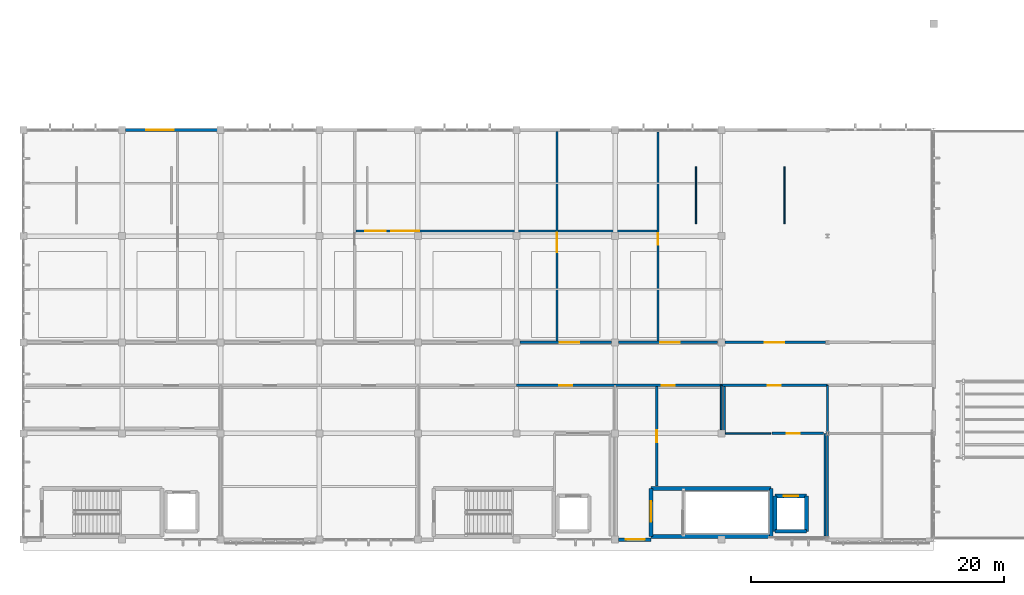
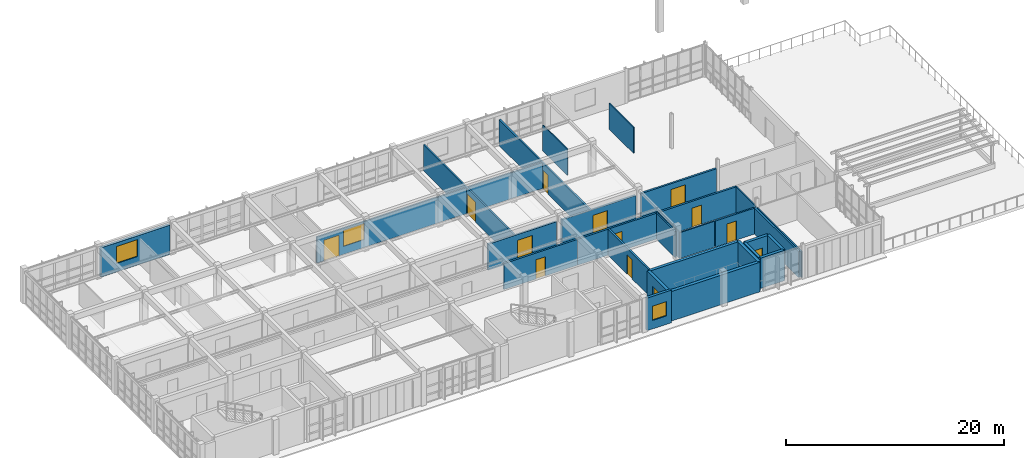
# One storey, part 23 of 35: 29 walls, 13 doors, 3 windows, 16 openings.
"""IFC4 building model written with IfcOpenShell, lengths in metres."""

from ifc_helpers import new_model, si_unit, direction, frame, frame_2d, origin, place, context, subcontext, project, spatial, rectangle, extrude, material, layer, layer_set, type_object, element, fill, save


model = new_model("IFC4")

# Units and contexts
model_context = context("Model", 3, precision=1e-05, world=origin(), true_north=direction((0.0, 1.0)))
body_context = subcontext(model_context, "Body", "Model", "MODEL_VIEW")
ifc_project = project(units=[si_unit("LENGTHUNIT", "METRE"), si_unit("AREAUNIT", "SQUARE_METRE"), si_unit("VOLUMEUNIT", "CUBIC_METRE"), si_unit("PLANEANGLEUNIT", "RADIAN"), si_unit("MASSUNIT", "GRAM", prefix="KILO")], contexts=[model_context])

# Site, building, storey
site_placement = place(None, origin())
site = spatial("IfcSite", under=ifc_project, at=site_placement, CompositionType="ELEMENT")
building_placement = place(site_placement, origin())
building = spatial("IfcBuilding", under=site, at=building_placement, Name="Tizgana Railside Sports Hall", CompositionType="ELEMENT")
storey_placement = place(building_placement, frame((0.0, 0.0, 15.89990234375)))
storey = spatial("IfcBuildingStorey", under=building, at=storey_placement, Name="L03", CompositionType="ELEMENT", Elevation=15.89990234375)

# Wall, opening, door
ifc_material_1 = material(Name="Acoustic gypsum stud")
ifc_layer_1 = layer(ifc_material_1, 0.159912109375, Name="Acoustic gypsum stud")
ifc_layer_set_1 = layer_set([ifc_layer_1], Name="Acoustic gypsum stud")
wall_type_1 = type_object("IfcWallType", Name="Clinic Acoustic Partition 160", PredefinedType="STANDARD", material=ifc_layer_set_1)
wall_1_placement = place(storey_placement, frame((50.0, 15.64990234375, 0.0), z_axis=(0.0, 0.0, 1.0), x_axis=(0.0, 1.0, 0.0)))
wall_1 = element("IfcWall", 1, at=wall_1_placement, inside=storey, type_object=wall_type_1, Name="L03 Partition PWAL-0189", PredefinedType="STANDARD", context=body_context, shape_type="SweptSolid", body=[
    extrude(rectangle(XDim=16.610107421875, YDim=0.159912109375, at=frame_2d((8.30517578125, 0.0))), origin(), (0.0, 0.0, 1.0), 2.900146484375),
])
opening_1_placement = place(wall_1_placement, frame((7.074951171875, 0.0, 0.0)))
opening_1 = element("IfcOpeningElement", 2, at=opening_1_placement, cuts=wall_1, Name="Opening D-0210", PredefinedType="OPENING", context=body_context, shape_type="SweptSolid", body=[
    extrude(rectangle(XDim=1.550048828125, YDim=2.25, at=frame_2d((0.77490234375, 1.125))), frame((0.0, 0.08984375, 0.0), z_axis=(0.0, -1.0, 0.0), x_axis=(1.0, 0.0, 0.0)), (0.0, 0.0, 1.0), 0.179931640625),
])
ifc_material_2 = material(Name="Acoustic perforated timber", Category="wood")
door_type_1 = type_object("IfcDoorType", Name="Studio Acoustic Double Door 1550x2250", OperationType="NOTDEFINED", PredefinedType="DOOR", material=ifc_material_2)
door_1_placement = place(opening_1_placement, origin())
door_1 = element("IfcDoor", 3, at=door_1_placement, inside=storey, type_object=door_type_1, Name="L03 Door D-0210", OperationType="DOUBLE_DOOR_SINGLE_SWING", OverallHeight=2.25, OverallWidth=1.550048828125, PredefinedType="DOOR", context=body_context, shape_type="SweptSolid", body=[
    extrude(rectangle(XDim=1.550048828125, YDim=2.25, at=frame_2d((0.77490234375, 1.125))), frame((0.0, 0.02490234375, 0.0), z_axis=(0.0, -1.0, 0.0), x_axis=(1.0, 0.0, 0.0)), (0.0, 0.0, 1.0), 0.050048828125),
])
fill(opening_1, door_1)

# Wall, openings, door, window
wall_2_placement = place(storey_placement, frame((34.090087890625, 24.39990234375, 0.0), z_axis=(0.0, 0.0, 1.0), x_axis=(1.0, 0.0, 0.0)))
wall_2 = element("IfcWall", 4, at=wall_2_placement, inside=storey, type_object=wall_type_1, Name="L03 Partition PWAL-0339", PredefinedType="STANDARD", context=body_context, shape_type="SweptSolid", body=[
    extrude(rectangle(XDim=23.909912109375, YDim=0.159912109375, at=frame_2d((11.955078125, 0.0))), origin(), (0.0, 0.0, 1.0), 2.900146484375),
])
opening_2_placement = place(wall_2_placement, frame((0.760009765625, 0.0, 0.0)))
opening_2 = element("IfcOpeningElement", 5, at=opening_2_placement, cuts=wall_2, Name="Opening D-0304", PredefinedType="OPENING", context=body_context, shape_type="SweptSolid", body=[
    extrude(rectangle(XDim=1.60009765625, YDim=2.300048828125, at=frame_2d((0.800048828125, 1.14990234375))), frame((0.0, 0.08984375, 0.0), z_axis=(0.0, -1.0, 0.0), x_axis=(1.0, 0.0, 0.0)), (0.0, 0.0, 1.0), 0.179931640625),
])
opening_3_placement = place(wall_2_placement, frame((2.81005859375, 0.0, 0.89990234375)))
opening_3 = element("IfcOpeningElement", 6, at=opening_3_placement, cuts=wall_2, Name="Opening W-0135", PredefinedType="OPENING", context=body_context, shape_type="SweptSolid", body=[
    extrude(rectangle(XDim=2.199951171875, YDim=1.800048828125, at=frame_2d((1.10009765625, 0.89990234375))), frame((0.0, 0.08984375, 0.0), z_axis=(0.0, -1.0, 0.0), x_axis=(1.0, 0.0, 0.0)), (0.0, 0.0, 1.0), 0.179931640625),
])
ifc_material_3 = material(Name="Solid beech timber", Category="wood")
door_type_2 = type_object("IfcDoorType", Name="Martial Arts Double Door 1600x2300", OperationType="NOTDEFINED", PredefinedType="DOOR", material=ifc_material_3)
door_2_placement = place(opening_2_placement, origin())
door_2 = element("IfcDoor", 7, at=door_2_placement, inside=storey, type_object=door_type_2, Name="L03 Door D-0304", OperationType="DOUBLE_DOOR_SINGLE_SWING", OverallHeight=2.300048828125, OverallWidth=1.60009765625, PredefinedType="DOOR", context=body_context, shape_type="SweptSolid", body=[
    extrude(rectangle(XDim=1.60009765625, YDim=2.300048828125, at=frame_2d((0.800048828125, 1.14990234375))), frame((0.0, 0.02490234375, 0.0), z_axis=(0.0, -1.0, 0.0), x_axis=(1.0, 0.0, 0.0)), (0.0, 0.0, 1.0), 0.050048828125),
])
fill(opening_2, door_2)
ifc_material_4 = material(Name="Double low-E laminated glass", Category="glass")
window_type_1 = type_object("IfcWindowType", Name="Studio Corridor Borrowed Light 2200x1400", PartitioningType="SINGLE_PANEL", PredefinedType="WINDOW", material=ifc_material_4)
window_1_placement = place(opening_3_placement, origin())
window_1 = element("IfcWindow", 8, at=window_1_placement, inside=storey, type_object=window_type_1, Name="L03 Interior Window W-0135", OverallHeight=1.800048828125, OverallWidth=2.199951171875, PartitioningType="SINGLE_PANEL", PredefinedType="WINDOW", context=body_context, shape_type="SweptSolid", body=[
    extrude(rectangle(XDim=2.199951171875, YDim=1.800048828125, at=frame_2d((1.10009765625, 0.89990234375))), frame((0.0, 0.030029296875, 0.0), z_axis=(0.0, -1.0, 0.0), x_axis=(1.0, 0.0, 0.0)), (0.0, 0.0, 1.0), 0.06005859375),
])
fill(opening_3, window_1)

# Wall
ifc_material_5 = material(Name="Concrete C40/50", Category="concrete")
ifc_layer_2 = layer(ifc_material_5, 0.300048828125, Name="Concrete C40/50")
ifc_layer_set_2 = layer_set([ifc_layer_2], Name="Concrete C40/50")
wall_type_2 = type_object("IfcWallType", Name="Core Shear Wall 300", PredefinedType="SHEAR", material=ifc_layer_set_2)
wall_3_placement = place(storey_placement, frame((57.449951171875, 4.050048828125, 0.0), z_axis=(0.0, 0.0, 1.0), x_axis=(1.0, 0.0, 0.0)))
element("IfcWall", 9, at=wall_3_placement, inside=storey, type_object=wall_type_2, Name="L03 C3 Shaft Wall N", PredefinedType="SHEAR", context=body_context, shape_type="SweptSolid", body=[
    extrude(rectangle(XDim=9.5, YDim=0.300048828125, at=frame_2d((4.75, 0.0))), origin(), (0.0, 0.0, 1.0), 3.300048828125),
])

# Wall, opening, door
wall_4_placement = place(storey_placement, frame((57.449951171875, 0.25, 0.0), z_axis=(0.0, 0.0, 1.0), x_axis=(0.0, 1.0, 0.0)))
wall_4 = element("IfcWall", 10, at=wall_4_placement, inside=storey, type_object=wall_type_2, Name="L03 C3 Shaft Wall W", PredefinedType="SHEAR", context=body_context, shape_type="SweptSolid", body=[
    extrude(rectangle(XDim=3.800048828125, YDim=0.300048828125, at=frame_2d((1.89990234375, 0.0))), origin(), (0.0, 0.0, 1.0), 3.300048828125),
])
opening_4_placement = place(wall_4_placement, frame((1.14990234375, 0.0, 0.0)))
opening_4 = element("IfcOpeningElement", 11, at=opening_4_placement, cuts=wall_4, Name="Opening D-0066", PredefinedType="OPENING", context=body_context, shape_type="SweptSolid", body=[
    extrude(rectangle(XDim=1.64990234375, YDim=2.199951171875, at=frame_2d((0.824951171875, 1.10009765625))), frame((0.0, 0.159912109375, 0.0), z_axis=(0.0, -1.0, 0.0), x_axis=(1.0, 0.0, 0.0)), (0.0, 0.0, 1.0), 0.320068359375),
])
ifc_material_6 = material(Name="Timber fire leaf", Category="wood")
door_type_3 = type_object("IfcDoorType", Name="Stair Core Double Fire Door 1650x2200", OperationType="NOTDEFINED", PredefinedType="DOOR", material=ifc_material_6)
door_3_placement = place(opening_4_placement, origin())
door_3 = element("IfcDoor", 12, at=door_3_placement, inside=storey, type_object=door_type_3, Name="L03 Door D-0066", OperationType="DOUBLE_DOOR_SINGLE_SWING", OverallHeight=2.199951171875, OverallWidth=1.64990234375, PredefinedType="DOOR", context=body_context, shape_type="SweptSolid", body=[
    extrude(rectangle(XDim=1.64990234375, YDim=2.199951171875, at=frame_2d((0.824951171875, 1.10009765625))), frame((0.0, 0.02490234375, 0.0), z_axis=(0.0, -1.0, 0.0), x_axis=(1.0, 0.0, 0.0)), (0.0, 0.0, 1.0), 0.050048828125),
])
fill(opening_4, door_3)

# Walls
wall_5_placement = place(storey_placement, frame((66.949951171875, 0.25, 0.0), z_axis=(0.0, 0.0, 1.0), x_axis=(0.0, 1.0, 0.0)))
element("IfcWall", 13, at=wall_5_placement, inside=storey, type_object=wall_type_2, Name="L03 C3 Shaft Wall E", PredefinedType="SHEAR", context=body_context, shape_type="SweptSolid", body=[
    extrude(rectangle(XDim=3.800048828125, YDim=0.300048828125, at=frame_2d((1.89990234375, 0.0))), origin(), (0.0, 0.0, 1.0), 3.300048828125),
])
wall_6_placement = place(storey_placement, frame((67.25, 0.64990234375, 0.0), z_axis=(0.0, 0.0, 1.0), x_axis=(1.0, 0.0, 0.0)))
element("IfcWall", 14, at=wall_6_placement, inside=storey, type_object=wall_type_2, Name="L03 LP-02 Shaft Wall S", PredefinedType="SHEAR", context=body_context, shape_type="SweptSolid", body=[
    extrude(rectangle(XDim=2.5, YDim=0.300048828125, at=frame_2d((1.25, 0.0))), origin(), (0.0, 0.0, 1.0), 3.400146484375),
])

# Wall, opening, door
wall_7_placement = place(storey_placement, frame((67.25, 3.449951171875, 0.0), z_axis=(0.0, 0.0, 1.0), x_axis=(1.0, 0.0, 0.0)))
wall_7 = element("IfcWall", 15, at=wall_7_placement, inside=storey, type_object=wall_type_2, Name="L03 LP-02 Shaft Wall N", PredefinedType="SHEAR", context=body_context, shape_type="SweptSolid", body=[
    extrude(rectangle(XDim=2.5, YDim=0.300048828125, at=frame_2d((1.25, 0.0))), origin(), (0.0, 0.0, 1.0), 3.400146484375),
])
opening_5_placement = place(wall_7_placement, frame((0.675048828125, 0.0, 0.0)))
opening_5 = element("IfcOpeningElement", 16, at=opening_5_placement, cuts=wall_7, Name="Opening D-0070", PredefinedType="OPENING", context=body_context, shape_type="SweptSolid", body=[
    extrude(rectangle(XDim=1.14990234375, YDim=2.199951171875, at=frame_2d((0.574951171875, 1.10009765625))), frame((0.0, 0.159912109375, 0.0), z_axis=(0.0, -1.0, 0.0), x_axis=(1.0, 0.0, 0.0)), (0.0, 0.0, 1.0), 0.320068359375),
])
ifc_material_7 = material(Name="Brushed stainless steel", Category="steel")
door_type_4 = type_object("IfcDoorType", Name="Passenger Lift Sliding Door 1150x2200", OperationType="NOTDEFINED", PredefinedType="DOOR", material=ifc_material_7)
door_4_placement = place(opening_5_placement, origin())
door_4 = element("IfcDoor", 17, at=door_4_placement, inside=storey, type_object=door_type_4, Name="L03 Door D-0070", OperationType="DOUBLE_DOOR_SLIDING", OverallHeight=2.199951171875, OverallWidth=1.14990234375, PredefinedType="DOOR", context=body_context, shape_type="SweptSolid", body=[
    extrude(rectangle(XDim=1.14990234375, YDim=2.199951171875, at=frame_2d((0.574951171875, 1.10009765625))), frame((0.0, 0.02490234375, 0.0), z_axis=(0.0, -1.0, 0.0), x_axis=(1.0, 0.0, 0.0)), (0.0, 0.0, 1.0), 0.050048828125),
])
fill(opening_5, door_4)

# Walls
for number, where, z_axis, x_axis, name in (
    (18, (67.25, 0.64990234375, 0.0), (0.0, 0.0, 1.0), (0.0, 1.0, 0.0), "L03 LP-02 Shaft Wall W"),
    (19, (69.75, 0.64990234375, 0.0), (0.0, 0.0, 1.0), (0.0, 1.0, 0.0), "L03 LP-02 Shaft Wall E"),
):
    element("IfcWall", number, at=place(storey_placement, frame(where, z_axis=z_axis, x_axis=x_axis)), inside=storey, type_object=wall_type_2, Name=name, PredefinedType="SHEAR", context=body_context, shape_type="SweptSolid", body=[
        extrude(rectangle(XDim=2.800048828125, YDim=0.300048828125, at=frame_2d((1.39990234375, 0.0))), origin(), (0.0, 0.0, 1.0), 3.400146484375),
    ])

# Wall, opening, door
ifc_material_8 = material(Name="Masonry blockwork", Category="masonry")
ifc_layer_3 = layer(ifc_material_8, 0.199951171875, Name="Masonry blockwork")
ifc_layer_set_3 = layer_set([ifc_layer_3], Name="Masonry blockwork")
wall_type_3 = type_object("IfcWallType", Name="Corridor Compartment Partition 200", PredefinedType="STANDARD", material=ifc_layer_set_3)
wall_8_placement = place(storey_placement, frame((47.0849609375, 15.60009765625, 0.0), z_axis=(0.0, 0.0, 1.0), x_axis=(1.0, 0.0, 0.0)))
wall_8 = element("IfcWall", 20, at=wall_8_placement, inside=storey, type_object=wall_type_3, Name="L03 Partition PWAL-0164", PredefinedType="STANDARD", context=body_context, shape_type="SweptSolid", body=[
    extrude(rectangle(XDim=7.22998046875, YDim=0.199951171875, at=frame_2d((3.614990234375, 0.0))), origin(), (0.0, 0.0, 1.0), 2.900146484375),
])
opening_6_placement = place(wall_8_placement, frame((3.139892578125, 0.0, 0.0)))
opening_6 = element("IfcOpeningElement", 21, at=opening_6_placement, cuts=wall_8, Name="Opening D-0198", PredefinedType="OPENING", context=body_context, shape_type="SweptSolid", body=[
    extrude(rectangle(XDim=1.550048828125, YDim=2.25, at=frame_2d((0.77490234375, 1.125))), frame((0.0, 0.10986328125, 0.0), z_axis=(0.0, -1.0, 0.0), x_axis=(1.0, 0.0, 0.0)), (0.0, 0.0, 1.0), 0.219970703125),
])
door_5_placement = place(opening_6_placement, origin())
door_5 = element("IfcDoor", 22, at=door_5_placement, inside=storey, type_object=door_type_1, Name="L03 Door D-0198", OperationType="DOUBLE_DOOR_SINGLE_SWING", OverallHeight=2.25, OverallWidth=1.550048828125, PredefinedType="DOOR", context=body_context, shape_type="SweptSolid", body=[
    extrude(rectangle(XDim=1.550048828125, YDim=2.25, at=frame_2d((0.77490234375, 1.125))), frame((0.0, 0.02490234375, 0.0), z_axis=(0.0, -1.0, 0.0), x_axis=(1.0, 0.0, 0.0)), (0.0, 0.0, 1.0), 0.050048828125),
])
fill(opening_6, door_5)

wall_9_placement = place(storey_placement, frame((46.800048828125, 12.199951171875, 0.0), z_axis=(0.0, 0.0, 1.0), x_axis=(1.0, 0.0, 0.0)))
wall_9 = element("IfcWall", 23, at=wall_9_placement, inside=storey, type_object=wall_type_3, Name="L03 Partition PWAL-0165", PredefinedType="STANDARD", context=body_context, shape_type="SweptSolid", body=[
    extrude(rectangle(XDim=7.800048828125, YDim=0.199951171875, at=frame_2d((3.89990234375, 0.0))), origin(), (0.0, 0.0, 1.0), 2.900146484375),
])
opening_7_placement = place(wall_9_placement, frame((3.389892578125, 0.0, 0.0)))
opening_7 = element("IfcOpeningElement", 24, at=opening_7_placement, cuts=wall_9, Name="Opening D-0199", PredefinedType="OPENING", context=body_context, shape_type="SweptSolid", body=[
    extrude(rectangle(XDim=1.02001953125, YDim=2.14990234375, at=frame_2d((0.510009765625, 1.074951171875))), frame((0.0, 0.10986328125, 0.0), z_axis=(0.0, -1.0, 0.0), x_axis=(1.0, 0.0, 0.0)), (0.0, 0.0, 1.0), 0.219970703125),
])
door_type_5 = type_object("IfcDoorType", Name="Accessible Changing & WC Door 1020x2150", OperationType="NOTDEFINED", PredefinedType="DOOR", material=ifc_material_3)
door_6_placement = place(opening_7_placement, origin())
door_6 = element("IfcDoor", 25, at=door_6_placement, inside=storey, type_object=door_type_5, Name="L03 Door D-0199", OperationType="SINGLE_SWING_RIGHT", OverallHeight=2.14990234375, OverallWidth=1.02001953125, PredefinedType="DOOR", context=body_context, shape_type="SweptSolid", body=[
    extrude(rectangle(XDim=1.02001953125, YDim=2.14990234375, at=frame_2d((0.510009765625, 1.074951171875))), frame((0.0, 0.02490234375, 0.0), z_axis=(0.0, -1.0, 0.0), x_axis=(1.0, 0.0, 0.0)), (0.0, 0.0, 1.0), 0.050048828125),
])
fill(opening_7, door_6)

wall_10_placement = place(storey_placement, frame((54.885009765625, 15.60009765625, 0.0), z_axis=(0.0, 0.0, 1.0), x_axis=(1.0, 0.0, 0.0)))
wall_10 = element("IfcWall", 26, at=wall_10_placement, inside=storey, type_object=wall_type_3, Name="L03 Partition PWAL-0166", PredefinedType="STANDARD", context=body_context, shape_type="SweptSolid", body=[
    extrude(rectangle(XDim=7.830078125, YDim=0.199951171875, at=frame_2d((3.9150390625, 0.0))), origin(), (0.0, 0.0, 1.0), 2.900146484375),
])
opening_8_placement = place(wall_10_placement, frame((3.2900390625, 0.0, 0.0)))
opening_8 = element("IfcOpeningElement", 27, at=opening_8_placement, cuts=wall_10, Name="Opening D-0200", PredefinedType="OPENING", context=body_context, shape_type="SweptSolid", body=[
    extrude(rectangle(XDim=1.550048828125, YDim=2.25, at=frame_2d((0.77490234375, 1.125))), frame((0.0, 0.10986328125, 0.0), z_axis=(0.0, -1.0, 0.0), x_axis=(1.0, 0.0, 0.0)), (0.0, 0.0, 1.0), 0.219970703125),
])
door_7_placement = place(opening_8_placement, origin())
door_7 = element("IfcDoor", 28, at=door_7_placement, inside=storey, type_object=door_type_1, Name="L03 Door D-0200", OperationType="DOUBLE_DOOR_SINGLE_SWING", OverallHeight=2.25, OverallWidth=1.550048828125, PredefinedType="DOOR", context=body_context, shape_type="SweptSolid", body=[
    extrude(rectangle(XDim=1.550048828125, YDim=2.25, at=frame_2d((0.77490234375, 1.125))), frame((0.0, 0.02490234375, 0.0), z_axis=(0.0, -1.0, 0.0), x_axis=(1.0, 0.0, 0.0)), (0.0, 0.0, 1.0), 0.050048828125),
])
fill(opening_8, door_7)

wall_11_placement = place(storey_placement, frame((54.60009765625, 12.199951171875, 0.0), z_axis=(0.0, 0.0, 1.0), x_axis=(1.0, 0.0, 0.0)))
wall_11 = element("IfcWall", 29, at=wall_11_placement, inside=storey, type_object=wall_type_3, Name="L03 Partition PWAL-0167", PredefinedType="STANDARD", context=body_context, shape_type="SweptSolid", body=[
    extrude(rectangle(XDim=8.579833984375, YDim=0.199951171875, at=frame_2d((4.2900390625, 0.0))), origin(), (0.0, 0.0, 1.0), 2.900146484375),
])
opening_9_placement = place(wall_11_placement, frame((3.68994140625, 0.0, 0.0)))
opening_9 = element("IfcOpeningElement", 30, at=opening_9_placement, cuts=wall_11, Name="Opening D-0201", PredefinedType="OPENING", context=body_context, shape_type="SweptSolid", body=[
    extrude(rectangle(XDim=1.02001953125, YDim=2.14990234375, at=frame_2d((0.510009765625, 1.074951171875))), frame((0.0, 0.10986328125, 0.0), z_axis=(0.0, -1.0, 0.0), x_axis=(1.0, 0.0, 0.0)), (0.0, 0.0, 1.0), 0.219970703125),
])
door_8_placement = place(opening_9_placement, origin())
door_8 = element("IfcDoor", 31, at=door_8_placement, inside=storey, type_object=door_type_5, Name="L03 Door D-0201", OperationType="SINGLE_SWING_LEFT", OverallHeight=2.14990234375, OverallWidth=1.02001953125, PredefinedType="DOOR", context=body_context, shape_type="SweptSolid", body=[
    extrude(rectangle(XDim=1.02001953125, YDim=2.14990234375, at=frame_2d((0.510009765625, 1.074951171875))), frame((0.0, 0.02490234375, 0.0), z_axis=(0.0, -1.0, 0.0), x_axis=(1.0, 0.0, 0.0)), (0.0, 0.0, 1.0), 0.050048828125),
])
fill(opening_9, door_8)

wall_12_placement = place(storey_placement, frame((63.284912109375, 15.60009765625, 0.0), z_axis=(0.0, 0.0, 1.0), x_axis=(1.0, 0.0, 0.0)))
wall_12 = element("IfcWall", 32, at=wall_12_placement, inside=storey, type_object=wall_type_3, Name="L03 Partition PWAL-0168", PredefinedType="STANDARD", context=body_context, shape_type="SweptSolid", body=[
    extrude(rectangle(XDim=7.965087890625, YDim=0.199951171875, at=frame_2d((3.982421875, 0.0))), origin(), (0.0, 0.0, 1.0), 2.900146484375),
])
opening_10_placement = place(wall_12_placement, frame((3.139892578125, 0.0, 0.0)))
opening_10 = element("IfcOpeningElement", 33, at=opening_10_placement, cuts=wall_12, Name="Opening D-0202", PredefinedType="OPENING", context=body_context, shape_type="SweptSolid", body=[
    extrude(rectangle(XDim=1.550048828125, YDim=2.25, at=frame_2d((0.77490234375, 1.125))), frame((0.0, 0.10986328125, 0.0), z_axis=(0.0, -1.0, 0.0), x_axis=(1.0, 0.0, 0.0)), (0.0, 0.0, 1.0), 0.219970703125),
])
door_9_placement = place(opening_10_placement, origin())
door_9 = element("IfcDoor", 34, at=door_9_placement, inside=storey, type_object=door_type_1, Name="L03 Door D-0202", OperationType="DOUBLE_DOOR_SINGLE_SWING", OverallHeight=2.25, OverallWidth=1.550048828125, PredefinedType="DOOR", context=body_context, shape_type="SweptSolid", body=[
    extrude(rectangle(XDim=1.550048828125, YDim=2.25, at=frame_2d((0.77490234375, 1.125))), frame((0.0, 0.02490234375, 0.0), z_axis=(0.0, -1.0, 0.0), x_axis=(1.0, 0.0, 0.0)), (0.0, 0.0, 1.0), 0.050048828125),
])
fill(opening_10, door_9)

wall_13_placement = place(storey_placement, frame((63.0, 12.199951171875, 0.0), z_axis=(0.0, 0.0, 1.0), x_axis=(1.0, 0.0, 0.0)))
wall_13 = element("IfcWall", 35, at=wall_13_placement, inside=storey, type_object=wall_type_3, Name="L03 Partition PWAL-0169", PredefinedType="STANDARD", context=body_context, shape_type="SweptSolid", body=[
    extrude(rectangle(XDim=8.39990234375, YDim=0.199951171875, at=frame_2d((4.199951171875, 0.0))), origin(), (0.0, 0.0, 1.0), 2.900146484375),
])
opening_11_placement = place(wall_13_placement, frame((3.68994140625, 0.0, 0.0)))
opening_11 = element("IfcOpeningElement", 36, at=opening_11_placement, cuts=wall_13, Name="Opening D-0203", PredefinedType="OPENING", context=body_context, shape_type="SweptSolid", body=[
    extrude(rectangle(XDim=1.02001953125, YDim=2.14990234375, at=frame_2d((0.510009765625, 1.074951171875))), frame((0.0, 0.10986328125, 0.0), z_axis=(0.0, -1.0, 0.0), x_axis=(1.0, 0.0, 0.0)), (0.0, 0.0, 1.0), 0.219970703125),
])
door_10_placement = place(opening_11_placement, origin())
door_10 = element("IfcDoor", 37, at=door_10_placement, inside=storey, type_object=door_type_5, Name="L03 Door D-0203", OperationType="SINGLE_SWING_RIGHT", OverallHeight=2.14990234375, OverallWidth=1.02001953125, PredefinedType="DOOR", context=body_context, shape_type="SweptSolid", body=[
    extrude(rectangle(XDim=1.02001953125, YDim=2.14990234375, at=frame_2d((0.510009765625, 1.074951171875))), frame((0.0, 0.02490234375, 0.0), z_axis=(0.0, -1.0, 0.0), x_axis=(1.0, 0.0, 0.0)), (0.0, 0.0, 1.0), 0.050048828125),
])
fill(opening_11, door_10)

# Wall
ifc_material_9 = material(Name="Concrete C35/45", Category="concrete")
ifc_layer_4 = layer(ifc_material_9, 0.340087890625, Name="Concrete C35/45")
ifc_layer_set_4 = layer_set([ifc_layer_4], Name="Concrete C35/45")
wall_type_4 = type_object("IfcWallType", Name="Exterior Insulated Concrete Wall 340", PredefinedType="STANDARD", material=ifc_layer_set_4)
wall_14_placement = place(storey_placement, frame((66.949951171875, 0.25, 0.0), z_axis=(0.0, 0.0, 1.0), x_axis=(-1.0, 0.0, 0.0)))
element("IfcWall", 38, at=wall_14_placement, inside=storey, type_object=wall_type_4, Name="L03 C3 Shaft Wall S", PredefinedType="STANDARD", context=body_context, shape_type="SweptSolid", body=[
    extrude(rectangle(XDim=9.5, YDim=0.340087890625, at=frame_2d((4.75, 0.0))), origin(), (0.0, 0.0, 1.0), 3.300048828125),
])

# Wall, opening, window
ifc_material_10 = material(Name="Precast concrete C40/50", Category="concrete")
ifc_layer_5 = layer(ifc_material_10, 0.27001953125, Name="Precast concrete C40/50")
ifc_layer_set_5 = layer_set([ifc_layer_5], Name="Precast concrete C40/50")
wall_type_5 = type_object("IfcWallType", Name="Exterior Studio Facade Wall 270", PredefinedType="STANDARD", material=ifc_layer_set_5)
wall_15_placement = place(storey_placement, frame((57.445068359375, 0.0, 0.0), z_axis=(0.0, 0.0, 1.0), x_axis=(-1.0, 0.0, 0.0)))
wall_15 = element("IfcWall", 39, at=wall_15_placement, inside=storey, type_object=wall_type_5, Name="L03 Exterior Wall EWAL-0113", PredefinedType="STANDARD", context=body_context, shape_type="SweptSolid", body=[
    extrude(rectangle(XDim=2.580078125, YDim=0.27001953125, at=frame_2d((1.2900390625, 0.0))), origin(), (0.0, 0.0, 1.0), 3.64013671875),
])
opening_12_placement = place(wall_15_placement, frame((0.4951171875, 0.0, 0.949951171875)))
opening_12 = element("IfcOpeningElement", 40, at=opening_12_placement, cuts=wall_15, Name="Opening W-0083", PredefinedType="OPENING", context=body_context, shape_type="SweptSolid", body=[
    extrude(rectangle(XDim=1.5, YDim=1.60009765625, at=frame_2d((0.75, 0.800048828125))), frame((0.0, 0.14501953125, 0.0), z_axis=(0.0, -1.0, 0.0), x_axis=(1.0, 0.0, 0.0)), (0.0, 0.0, 1.0), 0.2900390625),
])
window_type_2 = type_object("IfcWindowType", Name="Referees Suite Window 1500x1600", PartitioningType="SINGLE_PANEL", PredefinedType="WINDOW", material=ifc_material_4)
window_2_placement = place(opening_12_placement, origin())
window_2 = element("IfcWindow", 41, at=window_2_placement, inside=storey, type_object=window_type_2, Name="L03 Window W-0083", OverallHeight=1.60009765625, OverallWidth=1.5, PartitioningType="SINGLE_PANEL", PredefinedType="WINDOW", context=body_context, shape_type="SweptSolid", body=[
    extrude(rectangle(XDim=1.5, YDim=1.60009765625, at=frame_2d((0.75, 0.800048828125))), frame((0.0, 0.030029296875, 0.0), z_axis=(0.0, -1.0, 0.0), x_axis=(1.0, 0.0, 0.0)), (0.0, 0.0, 1.0), 0.06005859375),
])
fill(opening_12, window_2)

wall_16_placement = place(storey_placement, frame((15.864990234375, 32.39990234375, 0.0), z_axis=(0.0, 0.0, 1.0), x_axis=(1.0, 0.0, 0.0)))
wall_16 = element("IfcWall", 42, at=wall_16_placement, inside=storey, type_object=wall_type_5, Name="L03 Exterior Wall EWAL-0115", PredefinedType="STANDARD", context=body_context, shape_type="SweptSolid", body=[
    extrude(rectangle(XDim=7.27001953125, YDim=0.27001953125, at=frame_2d((3.635009765625, 0.0))), origin(), (0.0, 0.0, 1.0), 3.27099609375),
])
opening_13_placement = place(wall_16_placement, frame((1.635009765625, 0.0, 0.949951171875)))
opening_13 = element("IfcOpeningElement", 43, at=opening_13_placement, cuts=wall_16, Name="Opening W-0085", PredefinedType="OPENING", context=body_context, shape_type="SweptSolid", body=[
    extrude(rectangle(XDim=2.199951171875, YDim=1.89990234375, at=frame_2d((1.10009765625, 0.949951171875))), frame((0.0, 0.14501953125, 0.0), z_axis=(0.0, -1.0, 0.0), x_axis=(1.0, 0.0, 0.0)), (0.0, 0.0, 1.0), 0.2900390625),
])
window_type_3 = type_object("IfcWindowType", Name="Clinic Double Window 2200x1900", PartitioningType="SINGLE_PANEL", PredefinedType="WINDOW", material=ifc_material_4)
window_3_placement = place(opening_13_placement, origin())
window_3 = element("IfcWindow", 44, at=window_3_placement, inside=storey, type_object=window_type_3, Name="L03 Window W-0085", OverallHeight=1.89990234375, OverallWidth=2.199951171875, PartitioningType="SINGLE_PANEL", PredefinedType="WINDOW", context=body_context, shape_type="SweptSolid", body=[
    extrude(rectangle(XDim=2.199951171875, YDim=1.89990234375, at=frame_2d((1.10009765625, 0.949951171875))), frame((0.0, 0.030029296875, 0.0), z_axis=(0.0, -1.0, 0.0), x_axis=(1.0, 0.0, 0.0)), (0.0, 0.0, 1.0), 0.06005859375),
])
fill(opening_13, window_3)

# Walls
ifc_layer_6 = layer(ifc_material_1, 0.1298828125, Name="Acoustic gypsum stud")
ifc_layer_set_6 = layer_set([ifc_layer_6], Name="Acoustic gypsum stud")
wall_type_6 = type_object("IfcWallType", Name="General Interior Partition 130", PredefinedType="STANDARD", material=ifc_layer_set_6)
wall_17_placement = place(storey_placement, frame((63.0, 8.68505859375, 0.0), z_axis=(0.0, 0.0, 1.0), x_axis=(0.0, 1.0, 0.0)))
element("IfcWall", 45, at=wall_17_placement, inside=storey, type_object=wall_type_6, Name="L03 Partition PWAL-0181", PredefinedType="STANDARD", context=body_context, shape_type="SweptSolid", body=[
    extrude(rectangle(XDim=3.514892578125, YDim=0.1298828125, at=frame_2d((1.75732421875, 0.0))), origin(), (0.0, 0.0, 1.0), 2.900146484375),
])
wall_18_placement = place(storey_placement, frame((71.39990234375, 0.139892578125, 0.0), z_axis=(0.0, 0.0, 1.0), x_axis=(0.0, 1.0, 0.0)))
element("IfcWall", 46, at=wall_18_placement, inside=storey, type_object=wall_type_6, Name="L03 Partition PWAL-0182", PredefinedType="STANDARD", context=body_context, shape_type="SweptSolid", body=[
    extrude(rectangle(XDim=8.110107421875, YDim=0.1298828125, at=frame_2d((4.05517578125, 0.0))), origin(), (0.0, 0.0, 1.0), 2.900146484375),
])
wall_19_placement = place(storey_placement, frame((71.39990234375, 8.2548828125, 0.0), z_axis=(0.0, 0.0, 1.0), x_axis=(0.0, 1.0, 0.0)))
element("IfcWall", 47, at=wall_19_placement, inside=storey, type_object=wall_type_6, Name="L03 Partition PWAL-0183", PredefinedType="STANDARD", context=body_context, shape_type="SweptSolid", body=[
    extrude(rectangle(XDim=3.945068359375, YDim=0.1298828125, at=frame_2d((1.97265625, 0.0))), origin(), (0.0, 0.0, 1.0), 2.900146484375),
])
wall_20_placement = place(storey_placement, frame((63.25, 8.39990234375, 0.0), z_axis=(0.0, 0.0, 1.0), x_axis=(0.0, 1.0, 0.0)))
element("IfcWall", 48, at=wall_20_placement, inside=storey, type_object=wall_type_6, Name="L03 Partition PWAL-0185", PredefinedType="STANDARD", context=body_context, shape_type="SweptSolid", body=[
    extrude(rectangle(XDim=3.7001953125, YDim=0.1298828125, at=frame_2d((1.85009765625, 0.0))), origin(), (0.0, 0.0, 1.0), 2.900146484375),
])
wall_21_placement = place(storey_placement, frame((63.25, 8.39990234375, 0.0), z_axis=(0.0, 0.0, 1.0), x_axis=(1.0, 0.0, 0.0)))
element("IfcWall", 49, at=wall_21_placement, inside=storey, type_object=wall_type_6, Name="L03 Partition PWAL-0186", PredefinedType="STANDARD", context=body_context, shape_type="SweptSolid", body=[
    extrude(rectangle(XDim=3.64990234375, YDim=0.1298828125, at=frame_2d((1.824951171875, 0.0))), origin(), (0.0, 0.0, 1.0), 2.900146484375),
])
ifc_layer_7 = layer(ifc_material_1, 0.10009765625, Name="Acoustic gypsum stud")
ifc_layer_set_7 = layer_set([ifc_layer_7], Name="Acoustic gypsum stud")
wall_type_7 = type_object("IfcWallType", Name="Locker Alcove Partition 100", PredefinedType="STANDARD", material=ifc_layer_set_7)
for number, where, z_axis, x_axis, name in (
    (50, (61.0, 25.0, 0.0), (0.0, 0.0, 1.0), (0.0, 1.0, 0.0), "L03 Partition PWAL-0194"),
    (51, (68.0, 25.0, 0.0), (0.0, 0.0, 1.0), (0.0, 1.0, 0.0), "L03 Partition PWAL-0195"),
):
    element("IfcWall", number, at=place(storey_placement, frame(where, z_axis=z_axis, x_axis=x_axis)), inside=storey, type_object=wall_type_7, Name=name, PredefinedType="STANDARD", context=body_context, shape_type="SweptSolid", body=[
        extrude(rectangle(XDim=4.5, YDim=0.10009765625, at=frame_2d((2.25, 0.0))), origin(), (0.0, 0.0, 1.0), 2.900146484375),
    ])

# Wall, opening, door
ifc_layer_8 = layer(ifc_material_8, 0.179931640625, Name="Masonry blockwork")
ifc_layer_set_8 = layer_set([ifc_layer_8], Name="Masonry blockwork")
wall_type_8 = type_object("IfcWallType", Name="Riser and Shaft Wall 180", PredefinedType="STANDARD", material=ifc_layer_set_8)
wall_22_placement = place(storey_placement, frame((57.89990234375, 4.25, 0.0), z_axis=(0.0, 0.0, 1.0), x_axis=(0.0, 1.0, 0.0)))
wall_22 = element("IfcWall", 52, at=wall_22_placement, inside=storey, type_object=wall_type_8, Name="L03 Partition PWAL-0374", PredefinedType="STANDARD", context=body_context, shape_type="SweptSolid", body=[
    extrude(rectangle(XDim=7.85009765625, YDim=0.179931640625, at=frame_2d((3.925048828125, 0.0))), origin(), (0.0, 0.0, 1.0), 2.900146484375),
])
opening_14_placement = place(wall_22_placement, frame((3.465087890625, 0.0, 0.0)))
opening_14 = element("IfcOpeningElement", 53, at=opening_14_placement, cuts=wall_22, Name="Opening D-0322", PredefinedType="OPENING", context=body_context, shape_type="SweptSolid", body=[
    extrude(rectangle(XDim=0.919921875, YDim=2.14990234375, at=frame_2d((0.4599609375, 1.074951171875))), frame((0.0, 0.099853515625, 0.0), z_axis=(0.0, -1.0, 0.0), x_axis=(1.0, 0.0, 0.0)), (0.0, 0.0, 1.0), 0.199951171875),
])
door_type_6 = type_object("IfcDoorType", Name="Consultation & Coaching Door 920x2150", OperationType="NOTDEFINED", PredefinedType="DOOR", material=ifc_material_3)
door_11_placement = place(opening_14_placement, origin())
door_11 = element("IfcDoor", 54, at=door_11_placement, inside=storey, type_object=door_type_6, Name="L03 Door D-0322", OperationType="SINGLE_SWING_RIGHT", OverallHeight=2.14990234375, OverallWidth=0.919921875, PredefinedType="DOOR", context=body_context, shape_type="SweptSolid", body=[
    extrude(rectangle(XDim=0.919921875, YDim=2.14990234375, at=frame_2d((0.4599609375, 1.074951171875))), frame((0.0, 0.02490234375, 0.0), z_axis=(0.0, -1.0, 0.0), x_axis=(1.0, 0.0, 0.0)), (0.0, 0.0, 1.0), 0.050048828125),
])
fill(opening_14, door_11)

wall_23_placement = place(storey_placement, frame((67.0, 8.39990234375, 0.0), z_axis=(0.0, 0.0, 1.0), x_axis=(1.0, 0.0, 0.0)))
wall_23 = element("IfcWall", 55, at=wall_23_placement, inside=storey, type_object=wall_type_8, Name="L03 Partition PWAL-0375", PredefinedType="STANDARD", context=body_context, shape_type="SweptSolid", body=[
    extrude(rectangle(XDim=4.10009765625, YDim=0.179931640625, at=frame_2d((2.050048828125, 0.0))), origin(), (0.0, 0.0, 1.0), 2.900146484375),
])
opening_15_placement = place(wall_23_placement, frame((1.18994140625, 0.0, 0.0)))
opening_15 = element("IfcOpeningElement", 56, at=opening_15_placement, cuts=wall_23, Name="Opening D-0323", PredefinedType="OPENING", context=body_context, shape_type="SweptSolid", body=[
    extrude(rectangle(XDim=1.02001953125, YDim=2.14990234375, at=frame_2d((0.510009765625, 1.074951171875))), frame((0.0, 0.099853515625, 0.0), z_axis=(0.0, -1.0, 0.0), x_axis=(1.0, 0.0, 0.0)), (0.0, 0.0, 1.0), 0.199951171875),
])
door_12_placement = place(opening_15_placement, origin())
door_12 = element("IfcDoor", 57, at=door_12_placement, inside=storey, type_object=door_type_5, Name="L03 Door D-0323", OperationType="SINGLE_SWING_LEFT", OverallHeight=2.14990234375, OverallWidth=1.02001953125, PredefinedType="DOOR", context=body_context, shape_type="SweptSolid", body=[
    extrude(rectangle(XDim=1.02001953125, YDim=2.14990234375, at=frame_2d((0.510009765625, 1.074951171875))), frame((0.0, 0.02490234375, 0.0), z_axis=(0.0, -1.0, 0.0), x_axis=(1.0, 0.0, 0.0)), (0.0, 0.0, 1.0), 0.050048828125),
])
fill(opening_15, door_12)

# Wall
wall_24_placement = place(storey_placement, frame((71.199951171875, 0.300048828125, 0.0), z_axis=(0.0, 0.0, 1.0), x_axis=(0.0, 1.0, 0.0)))
element("IfcWall", 58, at=wall_24_placement, inside=storey, type_object=wall_type_8, Name="L03 Partition PWAL-0376", PredefinedType="STANDARD", context=body_context, shape_type="SweptSolid", body=[
    extrude(rectangle(XDim=8.099853515625, YDim=0.179931640625, at=frame_2d((4.0498046875, 0.0))), origin(), (0.0, 0.0, 1.0), 2.900146484375),
])

# Wall, opening, door
ifc_layer_9 = layer(ifc_material_1, 0.169921875, Name="Acoustic gypsum stud")
ifc_layer_set_9 = layer_set([ifc_layer_9], Name="Acoustic gypsum stud")
wall_type_9 = type_object("IfcWallType", Name="Studio Acoustic Partition 170", PredefinedType="STANDARD", material=ifc_layer_set_9)
wall_25_placement = place(storey_placement, frame((58.0, 15.60009765625, 0.0), z_axis=(0.0, 0.0, 1.0), x_axis=(0.0, 1.0, 0.0)))
wall_25 = element("IfcWall", 59, at=wall_25_placement, inside=storey, type_object=wall_type_9, Name="L03 Partition PWAL-0174", PredefinedType="STANDARD", context=body_context, shape_type="SweptSolid", body=[
    extrude(rectangle(XDim=16.64990234375, YDim=0.169921875, at=frame_2d((8.324951171875, 0.0))), origin(), (0.0, 0.0, 1.0), 2.900146484375),
])
opening_16_placement = place(wall_25_placement, frame((7.715087890625, 0.0, 0.0)))
opening_16 = element("IfcOpeningElement", 60, at=opening_16_placement, cuts=wall_25, Name="Opening D-0208", PredefinedType="OPENING", context=body_context, shape_type="SweptSolid", body=[
    extrude(rectangle(XDim=0.919921875, YDim=2.14990234375, at=frame_2d((0.4599609375, 1.074951171875))), frame((0.0, 0.094970703125, 0.0), z_axis=(0.0, -1.0, 0.0), x_axis=(1.0, 0.0, 0.0)), (0.0, 0.0, 1.0), 0.18994140625),
])
door_13_placement = place(opening_16_placement, origin())
door_13 = element("IfcDoor", 61, at=door_13_placement, inside=storey, type_object=door_type_6, Name="L03 Door D-0208", OperationType="SINGLE_SWING_RIGHT", OverallHeight=2.14990234375, OverallWidth=0.919921875, PredefinedType="DOOR", context=body_context, shape_type="SweptSolid", body=[
    extrude(rectangle(XDim=0.919921875, YDim=2.14990234375, at=frame_2d((0.4599609375, 1.074951171875))), frame((0.0, 0.02490234375, 0.0), z_axis=(0.0, -1.0, 0.0), x_axis=(1.0, 0.0, 0.0)), (0.0, 0.0, 1.0), 0.050048828125),
])
fill(opening_16, door_13)

save(model, "model.ifc")
